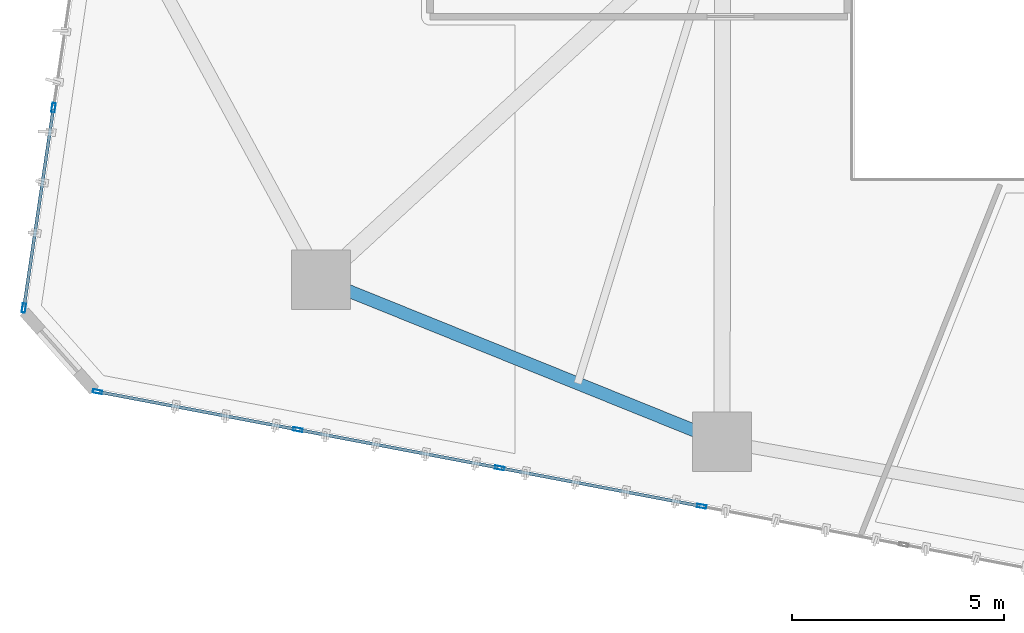
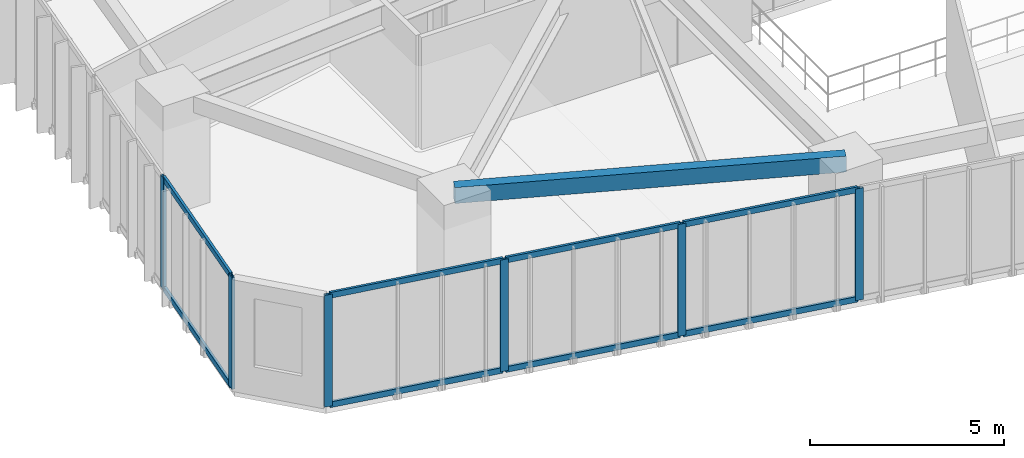
# One storey, part 2 of 20: 14 members, 1 beam, 2 elements without a shape of their own.
"""IFC4 building model written with IfcOpenShell, lengths in metres."""

from ifc_helpers import new_model, si_unit, direction, frame, origin, origin_2d, place, context, subcontext, project, spatial, hollow_rectangle, extrude, source, transform, mapped, material, layer, layer_set, material_profile, profile_set, type_object, type_shapes, element, aggregate, save


model = new_model("IFC4")

# Units and contexts
model_context = context("Model", 3, precision=1e-05, world=origin(), true_north=direction((0.0, 1.0)))
body_context = subcontext(model_context, "Body", "Model", "MODEL_VIEW")
ifc_project = project(units=[si_unit("LENGTHUNIT", "METRE"), si_unit("AREAUNIT", "SQUARE_METRE"), si_unit("VOLUMEUNIT", "CUBIC_METRE"), si_unit("PLANEANGLEUNIT", "RADIAN"), si_unit("MASSUNIT", "GRAM", prefix="KILO")], contexts=[model_context])

# Site, building, storey
site_placement = place(None, origin())
site = spatial("IfcSite", under=ifc_project, at=site_placement, CompositionType="ELEMENT")
building_placement = place(site_placement, origin())
building = spatial("IfcBuilding", under=site, at=building_placement, Name="Talar Marvaseh", CompositionType="ELEMENT")
storey_placement = place(building_placement, frame((0.0, 0.0, 58.199951171875)))
storey = spatial("IfcBuildingStorey", under=building, at=storey_placement, Name="L14", CompositionType="ELEMENT", Elevation=58.199951171875)

# Beam
ifc_material_1 = material(Name="Steel S355", Category="steel")
ifc_material_profile_1 = material_profile(ifc_material_1, hollow_rectangle(XDim=0.300048828125, YDim=0.5, WallThickness=0.02001953125, at=origin_2d()), Name="RHS500x300x20")
ifc_profile_set_1 = profile_set([ifc_material_profile_1], Name="Steel S355")
beam_type = type_object("IfcBeamType", Name="Zone 1 Perimeter Spandrel Beam RHS500x300x20", PredefinedType="SPANDREL", material=ifc_profile_set_1)
beam_placement = place(storey_placement, frame((18.68310546875, 12.97900390625, 3.27001953125), z_axis=(-0.927239278118, 0.374469386084, 0.0), x_axis=(-0.374469386084, -0.927239278118, 0.0)))
element("IfcBeam", 1, at=beam_placement, inside=storey, type_object=beam_type, Name="L14 Zone 1 Perimeter Spandrel Beam RHS500x300x20", PredefinedType="SPANDREL", context=body_context, shape_type="SweptSolid", body=[
    extrude(hollow_rectangle(XDim=0.300048828125, YDim=0.5, WallThickness=0.02001953125, at=origin_2d()), origin(), (0.0, 0.0, 1.0), 10.19287109375),
])

# Curtain wall, members
ifc_material_2 = material(Name="Architectural Aluminium", Category="aluminium")
ifc_layer = layer(ifc_material_2, 0.219970703125)
ifc_layer_set = layer_set([ifc_layer], Name="Architectural Aluminium")
curtain_wall_type = type_object("IfcCurtainWallType", Name="Unitised Low-E Museum Curtain Wall Z1", PredefinedType="NOTDEFINED", material=ifc_layer_set)
curtain_wall_1_placement = place(storey_placement, origin())
curtain_wall_1 = element("IfcCurtainWall", 2, at=curtain_wall_1_placement, inside=storey, type_object=curtain_wall_type, Name="L14 Unitised Low-E Museum Curtain Wall Z1", PredefinedType="NOTDEFINED")
ifc_material_profile_2 = material_profile(ifc_material_2, hollow_rectangle(XDim=0.080078125, YDim=0.219970703125, WallThickness=0.0048828125, at=origin_2d()), Name="RHS220x80x5")
ifc_profile_set_2 = profile_set([ifc_material_profile_2], Name="Architectural Aluminium")
member_type_1 = type_object("IfcMemberType", Name="Unitised Curtain Wall Heavy Mullion RHS220x80x5", PredefinedType="MULLION", material=ifc_profile_set_2)
shared_shape_1 = source(origin(), body_context, "Body", "SweptSolid", [
    extrude(hollow_rectangle(XDim=0.080078125, YDim=0.219970703125, WallThickness=0.0048828125, at=origin_2d()), origin(), (0.0, 0.0, 1.0), 3.52001953125),
])
type_shapes(member_type_1, [shared_shape_1])
member_1_placement = place(storey_placement, frame((2.228271484375, 16.1298828125, 0.0), z_axis=(0.0, 0.0, 1.0), x_axis=(-0.989262405953, 0.146150238347, 0.0)))
member_1 = element("IfcMember", 3, at=member_1_placement, type_object=member_type_1, Name="CW-Z1 mullion 1", PredefinedType="MULLION", context=body_context, shape_type="MappedRepresentation", body=[
    mapped(shared_shape_1, transform((0.0, 0.0, 0.0), x_axis=(1.0, 0.0, 0.0), y_axis=(0.0, 1.0, 0.0), z_axis=(0.0, 0.0, 1.0), scale=1.0)),
])
member_2_placement = place(storey_placement, frame((2.926513671875, 20.85498046875, 0.0), z_axis=(0.0, 0.0, 1.0), x_axis=(-0.989262405953, 0.146150238347, 0.0)))
member_2 = element("IfcMember", 4, at=member_2_placement, type_object=member_type_1, Name="CW-Z1 mullion 2", PredefinedType="MULLION", context=body_context, shape_type="MappedRepresentation", body=[
    mapped(shared_shape_1, transform((0.0, 0.0, 0.0), x_axis=(1.0, 0.0, 0.0), y_axis=(0.0, 1.0, 0.0), z_axis=(0.0, 0.0, 1.0), scale=1.0)),
])

curtain_wall_2_placement = place(storey_placement, origin())
curtain_wall_2 = element("IfcCurtainWall", 5, at=curtain_wall_2_placement, inside=storey, type_object=curtain_wall_type, Name="L14 Unitised Low-E Museum Curtain Wall Z1", PredefinedType="NOTDEFINED")
member_3_placement = place(storey_placement, frame((18.20361328125, 11.4580078125, 0.0), z_axis=(0.0, 0.0, 1.0), x_axis=(-0.186373082508, -0.982479045128, 0.0)))
member_3 = element("IfcMember", 6, at=member_3_placement, type_object=member_type_1, Name="CW-Z1 mullion 3", PredefinedType="MULLION", context=body_context, shape_type="MappedRepresentation", body=[
    mapped(shared_shape_1, transform((0.0, 0.0, 0.0), x_axis=(1.0, 0.0, 0.0), y_axis=(0.0, 1.0, 0.0), z_axis=(0.0, 0.0, 1.0), scale=1.0)),
])
member_4_placement = place(storey_placement, frame((13.443359375, 12.361083984375, 0.0), z_axis=(0.0, 0.0, 1.0), x_axis=(-0.186373082508, -0.982479045128, 0.0)))
member_4 = element("IfcMember", 7, at=member_4_placement, type_object=member_type_1, Name="CW-Z1 mullion 4", PredefinedType="MULLION", context=body_context, shape_type="MappedRepresentation", body=[
    mapped(shared_shape_1, transform((0.0, 0.0, 0.0), x_axis=(1.0, 0.0, 0.0), y_axis=(0.0, 1.0, 0.0), z_axis=(0.0, 0.0, 1.0), scale=1.0)),
])
member_5_placement = place(storey_placement, frame((8.682861328125, 13.26416015625, 0.0), z_axis=(0.0, 0.0, 1.0), x_axis=(-0.186373082508, -0.982479045128, 0.0)))
member_5 = element("IfcMember", 8, at=member_5_placement, type_object=member_type_1, Name="CW-Z1 mullion 5", PredefinedType="MULLION", context=body_context, shape_type="MappedRepresentation", body=[
    mapped(shared_shape_1, transform((0.0, 0.0, 0.0), x_axis=(1.0, 0.0, 0.0), y_axis=(0.0, 1.0, 0.0), z_axis=(0.0, 0.0, 1.0), scale=1.0)),
])
member_6_placement = place(storey_placement, frame((3.961669921875, 14.15966796875, 0.0), z_axis=(0.0, 0.0, 1.0), x_axis=(-0.186373082508, -0.982479045128, 0.0)))
member_6 = element("IfcMember", 9, at=member_6_placement, type_object=member_type_1, Name="CW-Z1 mullion 6", PredefinedType="MULLION", context=body_context, shape_type="MappedRepresentation", body=[
    mapped(shared_shape_1, transform((0.0, 0.0, 0.0), x_axis=(1.0, 0.0, 0.0), y_axis=(0.0, 1.0, 0.0), z_axis=(0.0, 0.0, 1.0), scale=1.0)),
])
ifc_material_profile_3 = material_profile(ifc_material_2, hollow_rectangle(XDim=0.074951171875, YDim=0.179931640625, WallThickness=0.0048828125, at=origin_2d()), Name="RHS180x75x5")
ifc_profile_set_3 = profile_set([ifc_material_profile_3], Name="Architectural Aluminium")
member_type_2 = type_object("IfcMemberType", Name="Unitised Curtain Wall Transom RHS180x75x5", PredefinedType="USERDEFINED", material=ifc_profile_set_3)
shared_shape_2 = source(origin(), body_context, "Body", "SweptSolid", [
    extrude(hollow_rectangle(XDim=0.074951171875, YDim=0.179931640625, WallThickness=0.0048828125, at=origin_2d()), origin(), (0.0, 0.0, 1.0), 4.725341796875),
])
member_7_placement = place(storey_placement, frame((8.6435546875, 13.271484375, 0.03759765625), z_axis=(-0.982481631631, 0.18635944706, 0.0), x_axis=(-0.18635944706, -0.982481631631, 0.0)))
member_7 = element("IfcMember", 10, at=member_7_placement, type_object=member_type_2, Name="CW-Z1 transom 5.1", ObjectType="TRANSOM", PredefinedType="USERDEFINED", context=body_context, shape_type="MappedRepresentation", body=[
    mapped(shared_shape_2, transform((0.0, 0.0, 0.0), x_axis=(1.0, 0.0, 0.0), y_axis=(0.0, 1.0, 0.0), z_axis=(0.0, 0.0, 1.0), scale=1.0)),
])
member_8_placement = place(storey_placement, frame((8.6435546875, 13.271484375, 3.482666015625), z_axis=(-0.982481631631, 0.18635944706, 0.0), x_axis=(-0.18635944706, -0.982481631631, 0.0)))
member_8 = element("IfcMember", 11, at=member_8_placement, type_object=member_type_2, Name="CW-Z1 transom 5.2", ObjectType="TRANSOM", PredefinedType="USERDEFINED", context=body_context, shape_type="MappedRepresentation", body=[
    mapped(shared_shape_2, transform((0.0, 0.0, 0.0), x_axis=(1.0, 0.0, 0.0), y_axis=(0.0, 1.0, 0.0), z_axis=(0.0, 0.0, 1.0), scale=1.0)),
])
shared_shape_3 = source(origin(), body_context, "Body", "SweptSolid", [
    extrude(hollow_rectangle(XDim=0.074951171875, YDim=0.179931640625, WallThickness=0.0048828125, at=origin_2d()), origin(), (0.0, 0.0, 1.0), 4.765380859375),
])
member_9_placement = place(storey_placement, frame((13.404052734375, 12.368408203125, 0.03759765625), z_axis=(-0.982477305743, 0.186382251567, 0.0), x_axis=(-0.186382251567, -0.982477305743, 0.0)))
member_9 = element("IfcMember", 12, at=member_9_placement, type_object=member_type_2, Name="CW-Z1 transom 4.1", ObjectType="TRANSOM", PredefinedType="USERDEFINED", context=body_context, shape_type="MappedRepresentation", body=[
    mapped(shared_shape_3, transform((0.0, 0.0, 0.0), x_axis=(1.0, 0.0, 0.0), y_axis=(0.0, 1.0, 0.0), z_axis=(0.0, 0.0, 1.0), scale=1.0)),
])
member_10_placement = place(storey_placement, frame((13.404052734375, 12.368408203125, 3.482666015625), z_axis=(-0.982477305743, 0.186382251567, 0.0), x_axis=(-0.186382251567, -0.982477305743, 0.0)))
member_10 = element("IfcMember", 13, at=member_10_placement, type_object=member_type_2, Name="CW-Z1 transom 4.2", ObjectType="TRANSOM", PredefinedType="USERDEFINED", context=body_context, shape_type="MappedRepresentation", body=[
    mapped(shared_shape_3, transform((0.0, 0.0, 0.0), x_axis=(1.0, 0.0, 0.0), y_axis=(0.0, 1.0, 0.0), z_axis=(0.0, 0.0, 1.0), scale=1.0)),
])
shared_shape_4 = source(origin(), body_context, "Body", "SweptSolid", [
    extrude(hollow_rectangle(XDim=0.074951171875, YDim=0.179931640625, WallThickness=0.0048828125, at=origin_2d()), origin(), (0.0, 0.0, 1.0), 4.76513671875),
])
member_11_placement = place(storey_placement, frame((18.164306640625, 11.46533203125, 0.03759765625), z_axis=(-0.982475525892, 0.186391633458, 0.0), x_axis=(-0.186391633458, -0.982475525892, 0.0)))
member_11 = element("IfcMember", 14, at=member_11_placement, type_object=member_type_2, Name="CW-Z1 transom 3.1", ObjectType="TRANSOM", PredefinedType="USERDEFINED", context=body_context, shape_type="MappedRepresentation", body=[
    mapped(shared_shape_4, transform((0.0, 0.0, 0.0), x_axis=(1.0, 0.0, 0.0), y_axis=(0.0, 1.0, 0.0), z_axis=(0.0, 0.0, 1.0), scale=1.0)),
])
member_12_placement = place(storey_placement, frame((18.164306640625, 11.46533203125, 3.482666015625), z_axis=(-0.982475525892, 0.186391633458, 0.0), x_axis=(-0.186391633458, -0.982475525892, 0.0)))
member_12 = element("IfcMember", 15, at=member_12_placement, type_object=member_type_2, Name="CW-Z1 transom 3.2", ObjectType="TRANSOM", PredefinedType="USERDEFINED", context=body_context, shape_type="MappedRepresentation", body=[
    mapped(shared_shape_4, transform((0.0, 0.0, 0.0), x_axis=(1.0, 0.0, 0.0), y_axis=(0.0, 1.0, 0.0), z_axis=(0.0, 0.0, 1.0), scale=1.0)),
])
aggregate(curtain_wall_2, [member_3, member_4, member_5, member_6, member_11, member_12, member_9, member_10, member_7, member_8])

# Member
shared_shape_5 = source(origin(), body_context, "Body", "SweptSolid", [
    extrude(hollow_rectangle(XDim=0.074951171875, YDim=0.179931640625, WallThickness=0.0048828125, at=origin_2d()), origin(), (0.0, 0.0, 1.0), 4.696533203125),
])
type_shapes(member_type_2, [shared_shape_2, shared_shape_3, shared_shape_4, shared_shape_5])
member_13_placement = place(storey_placement, frame((2.234130859375, 16.16943359375, 0.03759765625), z_axis=(0.146179389073, 0.989258098885, 0.0), x_axis=(-0.989258098885, 0.146179389073, 0.0)))
member_13 = element("IfcMember", 16, at=member_13_placement, type_object=member_type_2, Name="CW-Z1 transom 1.1", ObjectType="TRANSOM", PredefinedType="USERDEFINED", context=body_context, shape_type="MappedRepresentation", body=[
    mapped(shared_shape_5, transform((0.0, 0.0, 0.0), x_axis=(1.0, 0.0, 0.0), y_axis=(0.0, 1.0, 0.0), z_axis=(0.0, 0.0, 1.0), scale=1.0)),
])

member_14_placement = place(storey_placement, frame((2.234130859375, 16.16943359375, 3.482666015625), z_axis=(0.146179389073, 0.989258098885, 0.0), x_axis=(-0.989258098885, 0.146179389073, 0.0)))
member_14 = element("IfcMember", 17, at=member_14_placement, type_object=member_type_2, Name="CW-Z1 transom 1.2", ObjectType="TRANSOM", PredefinedType="USERDEFINED", context=body_context, shape_type="MappedRepresentation", body=[
    mapped(shared_shape_5, transform((0.0, 0.0, 0.0), x_axis=(1.0, 0.0, 0.0), y_axis=(0.0, 1.0, 0.0), z_axis=(0.0, 0.0, 1.0), scale=1.0)),
])

aggregate(curtain_wall_1, [member_1, member_2, member_13, member_14])

save(model, "model.ifc")
